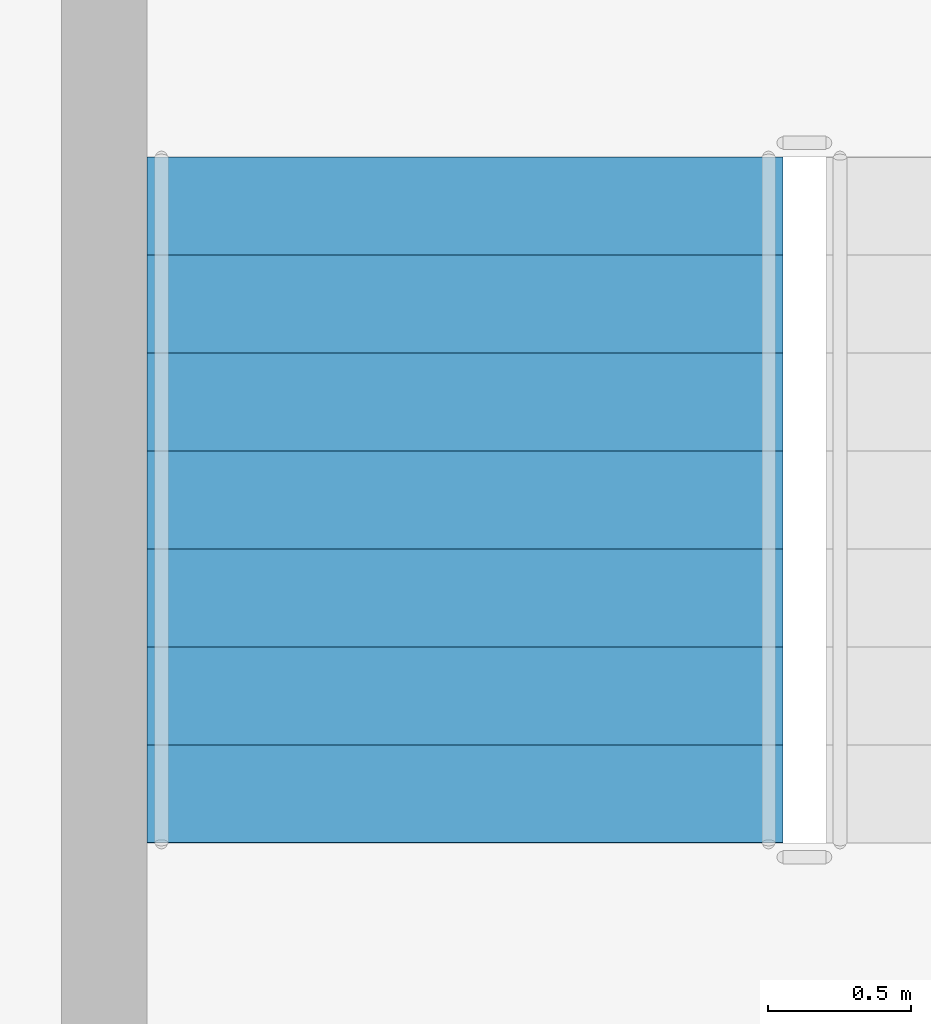
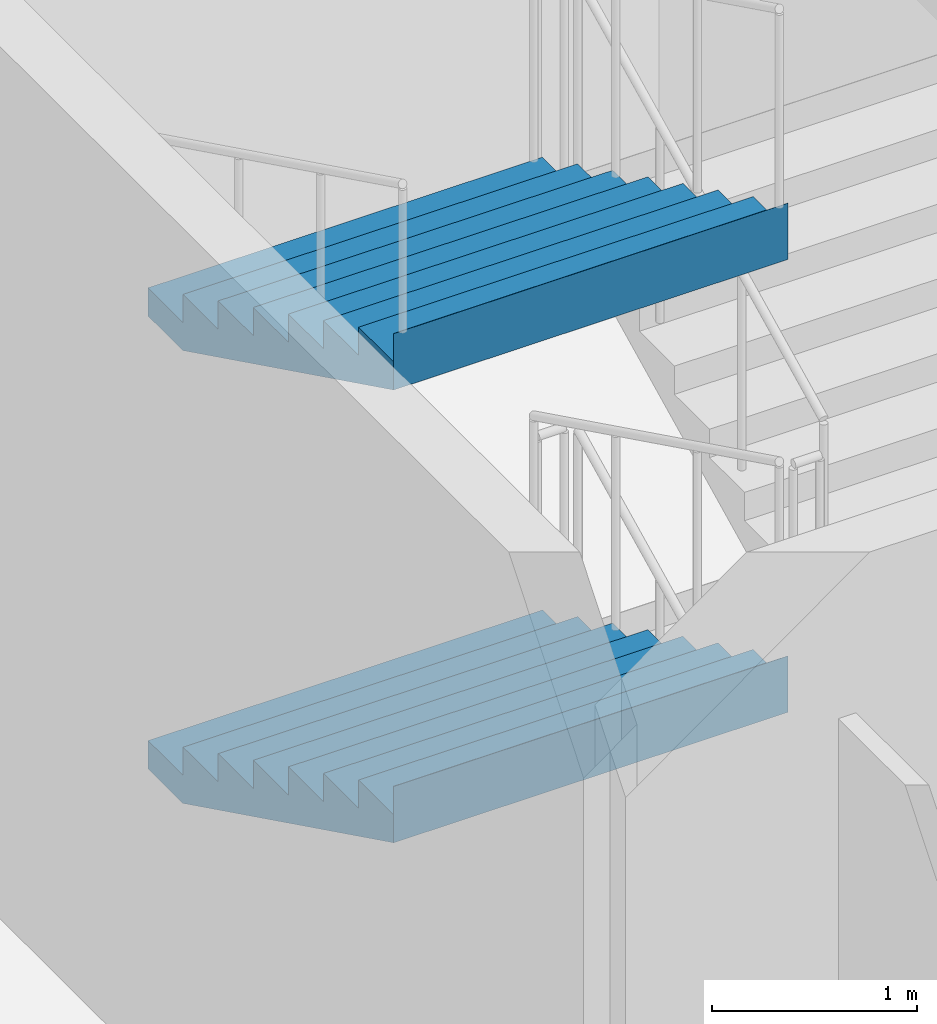
# One storey, part 38 of 42: 2 stair flights, 1 element without a shape of its own.
"""IFC4 building model written with IfcOpenShell, lengths in metres."""

from ifc_helpers import new_model, si_unit, direction, frame, origin, place, context, subcontext, project, spatial, triangles, material, type_object, element, aggregate, save


model = new_model("IFC4")

# Units and contexts
model_context = context("Model", 3, precision=1e-05, world=origin(), true_north=direction((0.0, 1.0)))
body_context = subcontext(model_context, "Body", "Model", "MODEL_VIEW")
ifc_project = project(units=[si_unit("LENGTHUNIT", "METRE"), si_unit("AREAUNIT", "SQUARE_METRE"), si_unit("VOLUMEUNIT", "CUBIC_METRE"), si_unit("PLANEANGLEUNIT", "RADIAN"), si_unit("MASSUNIT", "GRAM", prefix="KILO")], contexts=[model_context])

# Site, building, storey
site_placement = place(None, origin())
site = spatial("IfcSite", under=ifc_project, at=site_placement, CompositionType="ELEMENT")
building_placement = place(site_placement, origin())
building = spatial("IfcBuilding", under=site, at=building_placement, Name="Sahrelin Media Tower", CompositionType="ELEMENT")
storey_placement = place(building_placement, frame((0.0, 0.0, 26.0)))
storey = spatial("IfcBuildingStorey", under=building, at=storey_placement, Name="L03", CompositionType="ELEMENT", Elevation=26.0)

# Stair, stair flights
ifc_material = material(Name="Concrete C40/50", Category="concrete")
stair_type = type_object("IfcStairType", Name="Podium stair 2225", PredefinedType="HALF_TURN_STAIR", material=ifc_material)
stair_placement = place(storey_placement, origin())
stair = element("IfcStair", 1, at=stair_placement, inside=storey, type_object=stair_type, Name="L03 Podium stair PS1", PredefinedType="HALF_TURN_STAIR")
stair_flight_type = type_object("IfcStairFlightType", Name="Stair flight 2225", PredefinedType="STRAIGHT", material=ifc_material)
stair_flight_1_placement = place(storey_placement, frame((9.46240234375, 33.02490234375, 1.35009765625), z_axis=(0.0, 0.0, 1.0), x_axis=(0.0, -1.0, 0.0)))
stair_flight_1 = element("IfcStairFlight", 2, at=stair_flight_1_placement, type_object=stair_flight_type, Name="PS1 flight 2", NumberOfRisers=8, NumberOfTreads=7, PredefinedType="STRAIGHT", RiserHeight=0.16875, TreadLength=0.342857143, context=body_context, shape_type="Tessellation", body=[
    triangles([(0.33935546875, 1.112548828125, 0.0), (0.33935546875, 0.794677734375, 0.0), (0.33935546875, 0.476806640625, 0.0), (0.33935546875, 0.158935546875, 0.0), (0.33935546875, -0.158935546875, 0.0), (0.33935546875, -0.476806640625, 0.0), (0.33935546875, -0.794677734375, 0.0), (0.33935546875, -1.112548828125, 0.0), (2.39990234375, 1.112548828125, 1.01416015625), (2.39990234375, 0.794677734375, 1.01416015625), (2.39990234375, 0.476806640625, 1.01416015625), (2.39990234375, 0.158935546875, 1.01416015625), (2.39990234375, -0.158935546875, 1.01416015625), (2.39990234375, -0.476806640625, 1.01416015625), (2.39990234375, -0.794677734375, 1.01416015625), (2.39990234375, -1.112548828125, 1.01416015625), (2.39990234375, 1.112548828125, 1.35009765625), (2.39990234375, 0.794677734375, 1.35009765625), (2.39990234375, 0.476806640625, 1.35009765625), (2.39990234375, 0.158935546875, 1.35009765625), (2.39990234375, -0.158935546875, 1.35009765625), (2.39990234375, -0.476806640625, 1.35009765625), (2.39990234375, -0.794677734375, 1.35009765625), (2.39990234375, -1.112548828125, 1.35009765625), (2.39794921875, 1.112548828125, 1.35009765625), (2.39794921875, 0.794677734375, 1.35009765625), (2.39794921875, 0.476806640625, 1.35009765625), (2.39794921875, 0.158935546875, 1.35009765625), (2.39794921875, -0.158935546875, 1.35009765625), (2.39794921875, -0.476806640625, 1.35009765625), (2.39794921875, -0.794677734375, 1.35009765625), (2.39794921875, -1.112548828125, 1.35009765625), (2.39794921875, 1.112548828125, 1.18115234375), (2.39794921875, 0.794677734375, 1.18115234375), (2.39794921875, 0.476806640625, 1.18115234375), (2.39794921875, 0.158935546875, 1.18115234375), (2.39794921875, -0.158935546875, 1.18115234375), (2.39794921875, -0.476806640625, 1.18115234375), (2.39794921875, -0.794677734375, 1.18115234375), (2.39794921875, -1.112548828125, 1.18115234375), (2.05712890625, 1.112548828125, 1.18115234375), (2.05712890625, 0.794677734375, 1.18115234375), (2.05712890625, 0.476806640625, 1.18115234375), (2.05712890625, 0.158935546875, 1.18115234375), (2.05712890625, -0.158935546875, 1.18115234375), (2.05712890625, -0.476806640625, 1.18115234375), (2.05712890625, -0.794677734375, 1.18115234375), (2.05712890625, -1.112548828125, 1.18115234375), (2.05712890625, 1.112548828125, 1.012451171875), (2.05712890625, 0.794677734375, 1.012451171875), (2.05712890625, 0.476806640625, 1.012451171875), (2.05712890625, 0.158935546875, 1.012451171875), (2.05712890625, -0.158935546875, 1.012451171875), (2.05712890625, -0.476806640625, 1.012451171875), (2.05712890625, -0.794677734375, 1.012451171875), (2.05712890625, -1.112548828125, 1.012451171875), (1.71435546875, 1.112548828125, 1.012451171875), (1.71435546875, 0.794677734375, 1.012451171875), (1.71435546875, 0.476806640625, 1.012451171875), (1.71435546875, 0.158935546875, 1.012451171875), (1.71435546875, -0.158935546875, 1.012451171875), (1.71435546875, -0.476806640625, 1.012451171875), (1.71435546875, -0.794677734375, 1.012451171875), (1.71435546875, -1.112548828125, 1.012451171875), (1.71435546875, 1.112548828125, 0.84375), (1.71435546875, 0.794677734375, 0.84375), (1.71435546875, 0.476806640625, 0.84375), (1.71435546875, 0.158935546875, 0.84375), (1.71435546875, -0.158935546875, 0.84375), (1.71435546875, -0.476806640625, 0.84375), (1.71435546875, -0.794677734375, 0.84375), (1.71435546875, -1.112548828125, 0.84375), (1.371337890625, 1.112548828125, 0.84375), (1.371337890625, 0.794677734375, 0.84375), (1.371337890625, 0.476806640625, 0.84375), (1.371337890625, 0.158935546875, 0.84375), (1.371337890625, -0.158935546875, 0.84375), (1.371337890625, -0.476806640625, 0.84375), (1.371337890625, -0.794677734375, 0.84375), (1.371337890625, -1.112548828125, 0.84375), (1.371337890625, 1.112548828125, 0.675048828125), (1.371337890625, 0.794677734375, 0.675048828125), (1.371337890625, 0.476806640625, 0.675048828125), (1.371337890625, 0.158935546875, 0.675048828125), (1.371337890625, -0.158935546875, 0.675048828125), (1.371337890625, -0.476806640625, 0.675048828125), (1.371337890625, -0.794677734375, 0.675048828125), (1.371337890625, -1.112548828125, 0.675048828125), (1.028564453125, 1.112548828125, 0.675048828125), (1.028564453125, 0.794677734375, 0.675048828125), (1.028564453125, 0.476806640625, 0.675048828125), (1.028564453125, 0.158935546875, 0.675048828125), (1.028564453125, -0.158935546875, 0.675048828125), (1.028564453125, -0.476806640625, 0.675048828125), (1.028564453125, -0.794677734375, 0.675048828125), (1.028564453125, -1.112548828125, 0.675048828125), (1.028564453125, 1.112548828125, 0.50634765625), (1.028564453125, 0.794677734375, 0.50634765625), (1.028564453125, 0.476806640625, 0.50634765625), (1.028564453125, 0.158935546875, 0.50634765625), (1.028564453125, -0.158935546875, 0.50634765625), (1.028564453125, -0.476806640625, 0.50634765625), (1.028564453125, -0.794677734375, 0.50634765625), (1.028564453125, -1.112548828125, 0.50634765625), (0.685791015625, 1.112548828125, 0.50634765625), (0.685791015625, 0.794677734375, 0.50634765625), (0.685791015625, 0.476806640625, 0.50634765625), (0.685791015625, 0.158935546875, 0.50634765625), (0.685791015625, -0.158935546875, 0.50634765625), (0.685791015625, -0.476806640625, 0.50634765625), (0.685791015625, -0.794677734375, 0.50634765625), (0.685791015625, -1.112548828125, 0.50634765625), (0.685791015625, 1.112548828125, 0.33740234375), (0.685791015625, 0.794677734375, 0.33740234375), (0.685791015625, 0.476806640625, 0.33740234375), (0.685791015625, 0.158935546875, 0.33740234375), (0.685791015625, -0.158935546875, 0.33740234375), (0.685791015625, -0.476806640625, 0.33740234375), (0.685791015625, -0.794677734375, 0.33740234375), (0.685791015625, -1.112548828125, 0.33740234375), (0.3427734375, 1.112548828125, 0.33740234375), (0.3427734375, 0.794677734375, 0.33740234375), (0.3427734375, 0.476806640625, 0.33740234375), (0.3427734375, 0.158935546875, 0.33740234375), (0.3427734375, -0.158935546875, 0.33740234375), (0.3427734375, -0.476806640625, 0.33740234375), (0.3427734375, -0.794677734375, 0.33740234375), (0.3427734375, -1.112548828125, 0.33740234375), (0.3427734375, 1.112548828125, 0.168701171875), (0.3427734375, 0.794677734375, 0.168701171875), (0.3427734375, 0.476806640625, 0.168701171875), (0.3427734375, 0.158935546875, 0.168701171875), (0.3427734375, -0.158935546875, 0.168701171875), (0.3427734375, -0.476806640625, 0.168701171875), (0.3427734375, -0.794677734375, 0.168701171875), (0.3427734375, -1.112548828125, 0.168701171875), (0.0, 1.112548828125, 0.168701171875), (0.0, 0.794677734375, 0.168701171875), (0.0, 0.476806640625, 0.168701171875), (0.0, 0.158935546875, 0.168701171875), (0.0, -0.158935546875, 0.168701171875), (0.0, -0.476806640625, 0.168701171875), (0.0, -0.794677734375, 0.168701171875), (0.0, -1.112548828125, 0.168701171875), (0.0, 1.112548828125, 0.0), (0.0, 0.794677734375, 0.0), (0.0, 0.476806640625, 0.0), (0.0, 0.158935546875, 0.0), (0.0, -0.158935546875, 0.0), (0.0, -0.476806640625, 0.0), (0.0, -0.794677734375, 0.0), (0.0, -1.112548828125, 0.0)], [[1, 9, 10], [1, 10, 2], [2, 10, 11], [2, 11, 3], [3, 11, 12], [3, 12, 4], [4, 12, 13], [4, 13, 5], [5, 13, 14], [5, 14, 6], [6, 14, 15], [6, 15, 7], [7, 15, 16], [7, 16, 8], [9, 17, 18], [9, 18, 10], [10, 18, 19], [10, 19, 11], [11, 19, 20], [11, 20, 12], [12, 20, 21], [12, 21, 13], [13, 21, 22], [13, 22, 14], [14, 22, 23], [14, 23, 15], [15, 23, 24], [15, 24, 16], [17, 25, 26], [17, 26, 18], [18, 26, 27], [18, 27, 19], [19, 27, 28], [19, 28, 20], [20, 28, 29], [20, 29, 21], [21, 29, 30], [21, 30, 22], [22, 30, 31], [22, 31, 23], [23, 31, 32], [23, 32, 24], [25, 33, 34], [25, 34, 26], [26, 34, 35], [26, 35, 27], [27, 35, 36], [27, 36, 28], [28, 36, 37], [28, 37, 29], [29, 37, 38], [29, 38, 30], [30, 38, 39], [30, 39, 31], [31, 39, 40], [31, 40, 32], [33, 41, 42], [33, 42, 34], [34, 42, 43], [34, 43, 35], [35, 43, 44], [35, 44, 36], [36, 44, 45], [36, 45, 37], [37, 45, 46], [37, 46, 38], [38, 46, 47], [38, 47, 39], [39, 47, 48], [39, 48, 40], [41, 49, 50], [41, 50, 42], [42, 50, 51], [42, 51, 43], [43, 51, 52], [43, 52, 44], [44, 52, 53], [44, 53, 45], [45, 53, 54], [45, 54, 46], [46, 54, 55], [46, 55, 47], [47, 55, 56], [47, 56, 48], [49, 57, 58], [49, 58, 50], [50, 58, 59], [50, 59, 51], [51, 59, 60], [51, 60, 52], [52, 60, 61], [52, 61, 53], [53, 61, 62], [53, 62, 54], [54, 62, 63], [54, 63, 55], [55, 63, 64], [55, 64, 56], [57, 65, 66], [57, 66, 58], [58, 66, 67], [58, 67, 59], [59, 67, 68], [59, 68, 60], [60, 68, 69], [60, 69, 61], [61, 69, 70], [61, 70, 62], [62, 70, 71], [62, 71, 63], [63, 71, 72], [63, 72, 64], [65, 73, 74], [65, 74, 66], [66, 74, 75], [66, 75, 67], [67, 75, 76], [67, 76, 68], [68, 76, 77], [68, 77, 69], [69, 77, 78], [69, 78, 70], [70, 78, 79], [70, 79, 71], [71, 79, 80], [71, 80, 72], [73, 81, 82], [73, 82, 74], [74, 82, 83], [74, 83, 75], [75, 83, 84], [75, 84, 76], [76, 84, 85], [76, 85, 77], [77, 85, 86], [77, 86, 78], [78, 86, 87], [78, 87, 79], [79, 87, 88], [79, 88, 80], [81, 89, 90], [81, 90, 82], [82, 90, 91], [82, 91, 83], [83, 91, 92], [83, 92, 84], [84, 92, 93], [84, 93, 85], [85, 93, 94], [85, 94, 86], [86, 94, 95], [86, 95, 87], [87, 95, 96], [87, 96, 88], [89, 97, 98], [89, 98, 90], [90, 98, 99], [90, 99, 91], [91, 99, 100], [91, 100, 92], [92, 100, 101], [92, 101, 93], [93, 101, 102], [93, 102, 94], [94, 102, 103], [94, 103, 95], [95, 103, 104], [95, 104, 96], [97, 105, 106], [97, 106, 98], [98, 106, 107], [98, 107, 99], [99, 107, 108], [99, 108, 100], [100, 108, 109], [100, 109, 101], [101, 109, 110], [101, 110, 102], [102, 110, 111], [102, 111, 103], [103, 111, 112], [103, 112, 104], [105, 113, 114], [105, 114, 106], [106, 114, 115], [106, 115, 107], [107, 115, 116], [107, 116, 108], [108, 116, 117], [108, 117, 109], [109, 117, 118], [109, 118, 110], [110, 118, 119], [110, 119, 111], [111, 119, 120], [111, 120, 112], [113, 121, 122], [113, 122, 114], [114, 122, 123], [114, 123, 115], [115, 123, 124], [115, 124, 116], [116, 124, 125], [116, 125, 117], [117, 125, 126], [117, 126, 118], [118, 126, 127], [118, 127, 119], [119, 127, 128], [119, 128, 120], [121, 129, 130], [121, 130, 122], [122, 130, 131], [122, 131, 123], [123, 131, 132], [123, 132, 124], [124, 132, 133], [124, 133, 125], [125, 133, 134], [125, 134, 126], [126, 134, 135], [126, 135, 127], [127, 135, 136], [127, 136, 128], [129, 137, 138], [129, 138, 130], [130, 138, 139], [130, 139, 131], [131, 139, 140], [131, 140, 132], [132, 140, 141], [132, 141, 133], [133, 141, 142], [133, 142, 134], [134, 142, 143], [134, 143, 135], [135, 143, 144], [135, 144, 136], [137, 145, 146], [137, 146, 138], [138, 146, 147], [138, 147, 139], [139, 147, 148], [139, 148, 140], [140, 148, 149], [140, 149, 141], [141, 149, 150], [141, 150, 142], [142, 150, 151], [142, 151, 143], [143, 151, 152], [143, 152, 144], [145, 1, 2], [145, 2, 146], [146, 2, 3], [146, 3, 147], [147, 3, 4], [147, 4, 148], [148, 4, 5], [148, 5, 149], [149, 5, 6], [149, 6, 150], [150, 6, 7], [150, 7, 151], [151, 7, 8], [151, 8, 152], [8, 144, 152], [1, 145, 137], [136, 120, 128], [129, 121, 113], [120, 104, 112], [113, 105, 97], [104, 88, 96], [97, 89, 81], [88, 72, 80], [81, 73, 65], [72, 56, 64], [65, 57, 49], [56, 40, 48], [49, 41, 33], [40, 24, 32], [33, 25, 17], [8, 136, 144], [1, 137, 129], [8, 88, 104], [1, 97, 81], [40, 16, 24], [33, 17, 9], [120, 136, 8], [113, 1, 129], [16, 72, 88], [9, 81, 65], [56, 16, 40], [49, 33, 9], [104, 120, 8], [97, 1, 113], [72, 16, 56], [65, 49, 9], [8, 16, 88], [1, 81, 9]], closed=True),
])
stair_flight_2_placement = place(storey_placement, frame((9.46240234375, 33.02490234375, 4.050048828125), z_axis=(0.0, 0.0, 1.0), x_axis=(0.0, -1.0, 0.0)))
stair_flight_2 = element("IfcStairFlight", 3, at=stair_flight_2_placement, type_object=stair_flight_type, Name="PS1 flight 4", NumberOfRisers=8, NumberOfTreads=7, PredefinedType="STRAIGHT", RiserHeight=0.16875, TreadLength=0.342857143, context=body_context, shape_type="Tessellation", body=[
    triangles([(0.33935546875, 1.112548828125, 0.0), (0.33935546875, 0.794677734375, 0.0), (0.33935546875, 0.476806640625, 0.0), (0.33935546875, 0.158935546875, 0.0), (0.33935546875, -0.158935546875, 0.0), (0.33935546875, -0.476806640625, 0.0), (0.33935546875, -0.794677734375, 0.0), (0.33935546875, -1.112548828125, 0.0), (2.39990234375, 1.112548828125, 1.01416015625), (2.39990234375, 0.794677734375, 1.01416015625), (2.39990234375, 0.476806640625, 1.01416015625), (2.39990234375, 0.158935546875, 1.01416015625), (2.39990234375, -0.158935546875, 1.01416015625), (2.39990234375, -0.476806640625, 1.01416015625), (2.39990234375, -0.794677734375, 1.01416015625), (2.39990234375, -1.112548828125, 1.01416015625), (2.39990234375, 1.112548828125, 1.35009765625), (2.39990234375, 0.794677734375, 1.35009765625), (2.39990234375, 0.476806640625, 1.35009765625), (2.39990234375, 0.158935546875, 1.35009765625), (2.39990234375, -0.158935546875, 1.35009765625), (2.39990234375, -0.476806640625, 1.35009765625), (2.39990234375, -0.794677734375, 1.35009765625), (2.39990234375, -1.112548828125, 1.35009765625), (2.39794921875, 1.112548828125, 1.35009765625), (2.39794921875, 0.794677734375, 1.35009765625), (2.39794921875, 0.476806640625, 1.35009765625), (2.39794921875, 0.158935546875, 1.35009765625), (2.39794921875, -0.158935546875, 1.35009765625), (2.39794921875, -0.476806640625, 1.35009765625), (2.39794921875, -0.794677734375, 1.35009765625), (2.39794921875, -1.112548828125, 1.35009765625), (2.39794921875, 1.112548828125, 1.18115234375), (2.39794921875, 0.794677734375, 1.18115234375), (2.39794921875, 0.476806640625, 1.18115234375), (2.39794921875, 0.158935546875, 1.18115234375), (2.39794921875, -0.158935546875, 1.18115234375), (2.39794921875, -0.476806640625, 1.18115234375), (2.39794921875, -0.794677734375, 1.18115234375), (2.39794921875, -1.112548828125, 1.18115234375), (2.05712890625, 1.112548828125, 1.18115234375), (2.05712890625, 0.794677734375, 1.18115234375), (2.05712890625, 0.476806640625, 1.18115234375), (2.05712890625, 0.158935546875, 1.18115234375), (2.05712890625, -0.158935546875, 1.18115234375), (2.05712890625, -0.476806640625, 1.18115234375), (2.05712890625, -0.794677734375, 1.18115234375), (2.05712890625, -1.112548828125, 1.18115234375), (2.05712890625, 1.112548828125, 1.012451171875), (2.05712890625, 0.794677734375, 1.012451171875), (2.05712890625, 0.476806640625, 1.012451171875), (2.05712890625, 0.158935546875, 1.012451171875), (2.05712890625, -0.158935546875, 1.012451171875), (2.05712890625, -0.476806640625, 1.012451171875), (2.05712890625, -0.794677734375, 1.012451171875), (2.05712890625, -1.112548828125, 1.012451171875), (1.71435546875, 1.112548828125, 1.012451171875), (1.71435546875, 0.794677734375, 1.012451171875), (1.71435546875, 0.476806640625, 1.012451171875), (1.71435546875, 0.158935546875, 1.012451171875), (1.71435546875, -0.158935546875, 1.012451171875), (1.71435546875, -0.476806640625, 1.012451171875), (1.71435546875, -0.794677734375, 1.012451171875), (1.71435546875, -1.112548828125, 1.012451171875), (1.71435546875, 1.112548828125, 0.84375), (1.71435546875, 0.794677734375, 0.84375), (1.71435546875, 0.476806640625, 0.84375), (1.71435546875, 0.158935546875, 0.84375), (1.71435546875, -0.158935546875, 0.84375), (1.71435546875, -0.476806640625, 0.84375), (1.71435546875, -0.794677734375, 0.84375), (1.71435546875, -1.112548828125, 0.84375), (1.371337890625, 1.112548828125, 0.84375), (1.371337890625, 0.794677734375, 0.84375), (1.371337890625, 0.476806640625, 0.84375), (1.371337890625, 0.158935546875, 0.84375), (1.371337890625, -0.158935546875, 0.84375), (1.371337890625, -0.476806640625, 0.84375), (1.371337890625, -0.794677734375, 0.84375), (1.371337890625, -1.112548828125, 0.84375), (1.371337890625, 1.112548828125, 0.675048828125), (1.371337890625, 0.794677734375, 0.675048828125), (1.371337890625, 0.476806640625, 0.675048828125), (1.371337890625, 0.158935546875, 0.675048828125), (1.371337890625, -0.158935546875, 0.675048828125), (1.371337890625, -0.476806640625, 0.675048828125), (1.371337890625, -0.794677734375, 0.675048828125), (1.371337890625, -1.112548828125, 0.675048828125), (1.028564453125, 1.112548828125, 0.675048828125), (1.028564453125, 0.794677734375, 0.675048828125), (1.028564453125, 0.476806640625, 0.675048828125), (1.028564453125, 0.158935546875, 0.675048828125), (1.028564453125, -0.158935546875, 0.675048828125), (1.028564453125, -0.476806640625, 0.675048828125), (1.028564453125, -0.794677734375, 0.675048828125), (1.028564453125, -1.112548828125, 0.675048828125), (1.028564453125, 1.112548828125, 0.50634765625), (1.028564453125, 0.794677734375, 0.50634765625), (1.028564453125, 0.476806640625, 0.50634765625), (1.028564453125, 0.158935546875, 0.50634765625), (1.028564453125, -0.158935546875, 0.50634765625), (1.028564453125, -0.476806640625, 0.50634765625), (1.028564453125, -0.794677734375, 0.50634765625), (1.028564453125, -1.112548828125, 0.50634765625), (0.685791015625, 1.112548828125, 0.50634765625), (0.685791015625, 0.794677734375, 0.50634765625), (0.685791015625, 0.476806640625, 0.50634765625), (0.685791015625, 0.158935546875, 0.50634765625), (0.685791015625, -0.158935546875, 0.50634765625), (0.685791015625, -0.476806640625, 0.50634765625), (0.685791015625, -0.794677734375, 0.50634765625), (0.685791015625, -1.112548828125, 0.50634765625), (0.685791015625, 1.112548828125, 0.33740234375), (0.685791015625, 0.794677734375, 0.33740234375), (0.685791015625, 0.476806640625, 0.33740234375), (0.685791015625, 0.158935546875, 0.33740234375), (0.685791015625, -0.158935546875, 0.33740234375), (0.685791015625, -0.476806640625, 0.33740234375), (0.685791015625, -0.794677734375, 0.33740234375), (0.685791015625, -1.112548828125, 0.33740234375), (0.3427734375, 1.112548828125, 0.33740234375), (0.3427734375, 0.794677734375, 0.33740234375), (0.3427734375, 0.476806640625, 0.33740234375), (0.3427734375, 0.158935546875, 0.33740234375), (0.3427734375, -0.158935546875, 0.33740234375), (0.3427734375, -0.476806640625, 0.33740234375), (0.3427734375, -0.794677734375, 0.33740234375), (0.3427734375, -1.112548828125, 0.33740234375), (0.3427734375, 1.112548828125, 0.168701171875), (0.3427734375, 0.794677734375, 0.168701171875), (0.3427734375, 0.476806640625, 0.168701171875), (0.3427734375, 0.158935546875, 0.168701171875), (0.3427734375, -0.158935546875, 0.168701171875), (0.3427734375, -0.476806640625, 0.168701171875), (0.3427734375, -0.794677734375, 0.168701171875), (0.3427734375, -1.112548828125, 0.168701171875), (0.0, 1.112548828125, 0.168701171875), (0.0, 0.794677734375, 0.168701171875), (0.0, 0.476806640625, 0.168701171875), (0.0, 0.158935546875, 0.168701171875), (0.0, -0.158935546875, 0.168701171875), (0.0, -0.476806640625, 0.168701171875), (0.0, -0.794677734375, 0.168701171875), (0.0, -1.112548828125, 0.168701171875), (0.0, 1.112548828125, 0.0), (0.0, 0.794677734375, 0.0), (0.0, 0.476806640625, 0.0), (0.0, 0.158935546875, 0.0), (0.0, -0.158935546875, 0.0), (0.0, -0.476806640625, 0.0), (0.0, -0.794677734375, 0.0), (0.0, -1.112548828125, 0.0)], [[1, 9, 10], [1, 10, 2], [2, 10, 11], [2, 11, 3], [3, 11, 12], [3, 12, 4], [4, 12, 13], [4, 13, 5], [5, 13, 14], [5, 14, 6], [6, 14, 15], [6, 15, 7], [7, 15, 16], [7, 16, 8], [9, 17, 18], [9, 18, 10], [10, 18, 19], [10, 19, 11], [11, 19, 20], [11, 20, 12], [12, 20, 21], [12, 21, 13], [13, 21, 22], [13, 22, 14], [14, 22, 23], [14, 23, 15], [15, 23, 24], [15, 24, 16], [17, 25, 26], [17, 26, 18], [18, 26, 27], [18, 27, 19], [19, 27, 28], [19, 28, 20], [20, 28, 29], [20, 29, 21], [21, 29, 30], [21, 30, 22], [22, 30, 31], [22, 31, 23], [23, 31, 32], [23, 32, 24], [25, 33, 34], [25, 34, 26], [26, 34, 35], [26, 35, 27], [27, 35, 36], [27, 36, 28], [28, 36, 37], [28, 37, 29], [29, 37, 38], [29, 38, 30], [30, 38, 39], [30, 39, 31], [31, 39, 40], [31, 40, 32], [33, 41, 42], [33, 42, 34], [34, 42, 43], [34, 43, 35], [35, 43, 44], [35, 44, 36], [36, 44, 45], [36, 45, 37], [37, 45, 46], [37, 46, 38], [38, 46, 47], [38, 47, 39], [39, 47, 48], [39, 48, 40], [41, 49, 50], [41, 50, 42], [42, 50, 51], [42, 51, 43], [43, 51, 52], [43, 52, 44], [44, 52, 53], [44, 53, 45], [45, 53, 54], [45, 54, 46], [46, 54, 55], [46, 55, 47], [47, 55, 56], [47, 56, 48], [49, 57, 58], [49, 58, 50], [50, 58, 59], [50, 59, 51], [51, 59, 60], [51, 60, 52], [52, 60, 61], [52, 61, 53], [53, 61, 62], [53, 62, 54], [54, 62, 63], [54, 63, 55], [55, 63, 64], [55, 64, 56], [57, 65, 66], [57, 66, 58], [58, 66, 67], [58, 67, 59], [59, 67, 68], [59, 68, 60], [60, 68, 69], [60, 69, 61], [61, 69, 70], [61, 70, 62], [62, 70, 71], [62, 71, 63], [63, 71, 72], [63, 72, 64], [65, 73, 74], [65, 74, 66], [66, 74, 75], [66, 75, 67], [67, 75, 76], [67, 76, 68], [68, 76, 77], [68, 77, 69], [69, 77, 78], [69, 78, 70], [70, 78, 79], [70, 79, 71], [71, 79, 80], [71, 80, 72], [73, 81, 82], [73, 82, 74], [74, 82, 83], [74, 83, 75], [75, 83, 84], [75, 84, 76], [76, 84, 85], [76, 85, 77], [77, 85, 86], [77, 86, 78], [78, 86, 87], [78, 87, 79], [79, 87, 88], [79, 88, 80], [81, 89, 90], [81, 90, 82], [82, 90, 91], [82, 91, 83], [83, 91, 92], [83, 92, 84], [84, 92, 93], [84, 93, 85], [85, 93, 94], [85, 94, 86], [86, 94, 95], [86, 95, 87], [87, 95, 96], [87, 96, 88], [89, 97, 98], [89, 98, 90], [90, 98, 99], [90, 99, 91], [91, 99, 100], [91, 100, 92], [92, 100, 101], [92, 101, 93], [93, 101, 102], [93, 102, 94], [94, 102, 103], [94, 103, 95], [95, 103, 104], [95, 104, 96], [97, 105, 106], [97, 106, 98], [98, 106, 107], [98, 107, 99], [99, 107, 108], [99, 108, 100], [100, 108, 109], [100, 109, 101], [101, 109, 110], [101, 110, 102], [102, 110, 111], [102, 111, 103], [103, 111, 112], [103, 112, 104], [105, 113, 114], [105, 114, 106], [106, 114, 115], [106, 115, 107], [107, 115, 116], [107, 116, 108], [108, 116, 117], [108, 117, 109], [109, 117, 118], [109, 118, 110], [110, 118, 119], [110, 119, 111], [111, 119, 120], [111, 120, 112], [113, 121, 122], [113, 122, 114], [114, 122, 123], [114, 123, 115], [115, 123, 124], [115, 124, 116], [116, 124, 125], [116, 125, 117], [117, 125, 126], [117, 126, 118], [118, 126, 127], [118, 127, 119], [119, 127, 128], [119, 128, 120], [121, 129, 130], [121, 130, 122], [122, 130, 131], [122, 131, 123], [123, 131, 132], [123, 132, 124], [124, 132, 133], [124, 133, 125], [125, 133, 134], [125, 134, 126], [126, 134, 135], [126, 135, 127], [127, 135, 136], [127, 136, 128], [129, 137, 138], [129, 138, 130], [130, 138, 139], [130, 139, 131], [131, 139, 140], [131, 140, 132], [132, 140, 141], [132, 141, 133], [133, 141, 142], [133, 142, 134], [134, 142, 143], [134, 143, 135], [135, 143, 144], [135, 144, 136], [137, 145, 146], [137, 146, 138], [138, 146, 147], [138, 147, 139], [139, 147, 148], [139, 148, 140], [140, 148, 149], [140, 149, 141], [141, 149, 150], [141, 150, 142], [142, 150, 151], [142, 151, 143], [143, 151, 152], [143, 152, 144], [145, 1, 2], [145, 2, 146], [146, 2, 3], [146, 3, 147], [147, 3, 4], [147, 4, 148], [148, 4, 5], [148, 5, 149], [149, 5, 6], [149, 6, 150], [150, 6, 7], [150, 7, 151], [151, 7, 8], [151, 8, 152], [8, 144, 152], [1, 145, 137], [136, 120, 128], [129, 121, 113], [120, 104, 112], [113, 105, 97], [104, 88, 96], [97, 89, 81], [88, 72, 80], [81, 73, 65], [72, 56, 64], [65, 57, 49], [56, 40, 48], [49, 41, 33], [40, 24, 32], [33, 25, 17], [8, 136, 144], [1, 137, 129], [8, 88, 104], [1, 97, 81], [40, 16, 24], [33, 17, 9], [120, 136, 8], [113, 1, 129], [16, 72, 88], [9, 81, 65], [56, 16, 40], [49, 33, 9], [104, 120, 8], [97, 1, 113], [72, 16, 56], [65, 49, 9], [8, 16, 88], [1, 81, 9]], closed=True),
])
aggregate(stair, [stair_flight_1, stair_flight_2])

save(model, "model.ifc")
